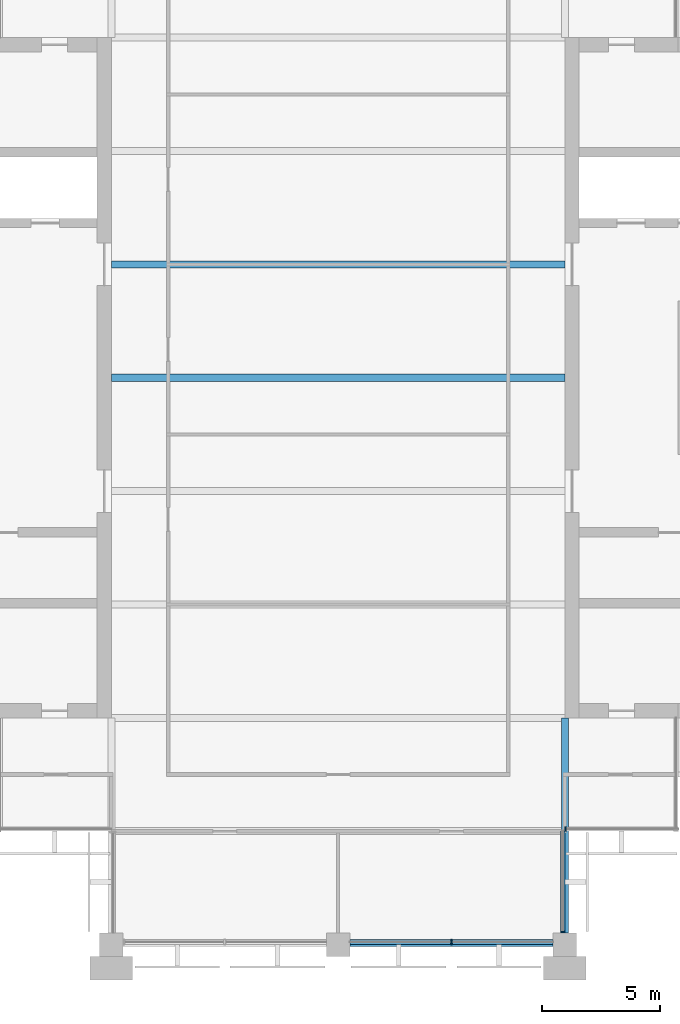
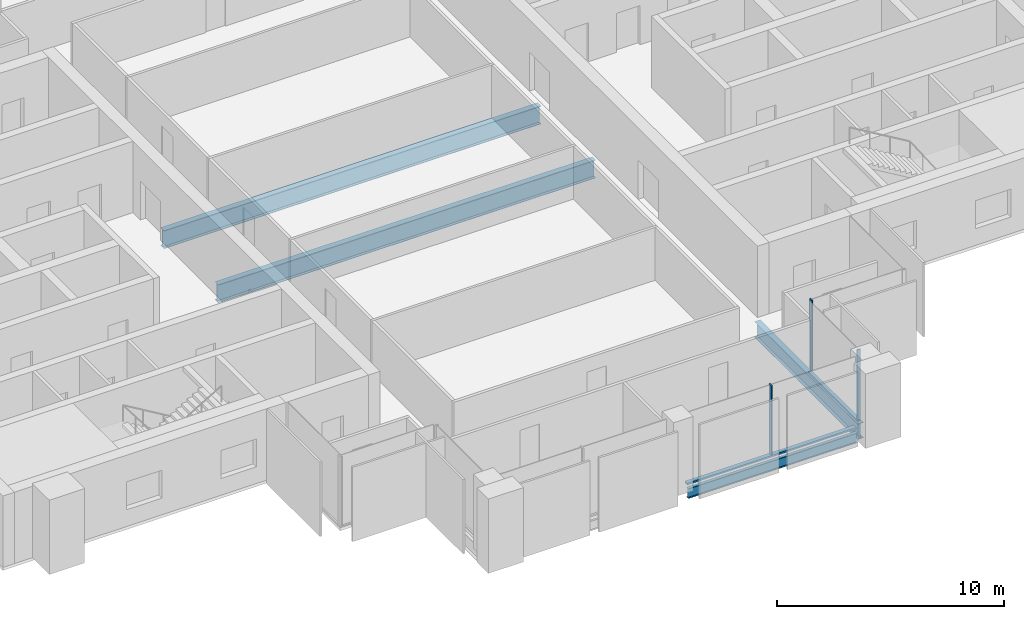
# One storey, part 3 of 12: 5 members, 4 beams, 3 elements without a shape of their own.
"""IFC4 building model written with IfcOpenShell, lengths in metres."""

from ifc_helpers import new_model, si_unit, direction, frame, origin, origin_2d, place, context, subcontext, project, spatial, rectangle, i_section, extrude, material, material_profile, profile_set, type_object, element, aggregate, save


model = new_model("IFC4")

# Units and contexts
model_context = context("Model", 3, precision=1e-05, world=origin(), true_north=direction((0.0, 1.0)))
body_context = subcontext(model_context, "Body", "Model", "MODEL_VIEW")
ifc_project = project(units=[si_unit("LENGTHUNIT", "METRE"), si_unit("AREAUNIT", "SQUARE_METRE"), si_unit("VOLUMEUNIT", "CUBIC_METRE"), si_unit("PLANEANGLEUNIT", "RADIAN"), si_unit("MASSUNIT", "GRAM", prefix="KILO")], contexts=[model_context])

# Site, building, storey
site_placement = place(None, origin())
site = spatial("IfcSite", under=ifc_project, at=site_placement, CompositionType="ELEMENT")
building_placement = place(site_placement, origin())
building = spatial("IfcBuilding", under=site, at=building_placement, Name="Baori Bourse Tower", CompositionType="ELEMENT")
storey_placement = place(building_placement, frame((0.0, 0.0, 322.300048828125)))
storey = spatial("IfcBuildingStorey", under=building, at=storey_placement, Name="L71", CompositionType="ELEMENT", Elevation=322.300048828125)

# Curtain wall, member
ifc_material_1 = material(Name="Pale anodised aluminium", Category="aluminium")
curtain_wall_type_1 = type_object("IfcCurtainWallType", Name="CW2 Curtain wall", PredefinedType="NOTDEFINED", material=ifc_material_1)
curtain_wall_1_placement = place(storey_placement, origin())
curtain_wall_1 = element("IfcCurtainWall", 1, at=curtain_wall_1_placement, inside=storey, type_object=curtain_wall_type_1, Name="Curtain wall CW2 L71 12", PredefinedType="NOTDEFINED")
ifc_material_2 = material(Name="Pale anodised aluminium", Category="aluminium")
ifc_material_profile_1 = material_profile(ifc_material_2, rectangle(XDim=0.179931640625, YDim=0.054931640625, at=origin_2d()), Name="Mullion 55x180")
ifc_profile_set_1 = profile_set([ifc_material_profile_1], Name="Pale anodised aluminium")
member_type_1 = type_object("IfcMemberType", Name="CW2 Curtain wall mullion", PredefinedType="MULLION", material=ifc_profile_set_1)
member_1_placement = place(storey_placement, frame((38.31005859375, 0.527587890625, 0.070068359375), z_axis=(0.0, 0.0, 1.0), x_axis=(-1.0, 0.0, 0.0)))
member_1 = element("IfcMember", 2, at=member_1_placement, type_object=member_type_1, Name="Curtain wall CW2 mullion", PredefinedType="MULLION", context=body_context, shape_type="SweptSolid", body=[
    extrude(rectangle(XDim=0.179931640625, YDim=0.054931640625, at=origin_2d()), origin(), (0.0, 0.0, 1.0), 3.769775390625),
])

curtain_wall_2_placement = place(storey_placement, origin())
curtain_wall_2 = element("IfcCurtainWall", 3, at=curtain_wall_2_placement, inside=storey, type_object=curtain_wall_type_1, Name="Curtain wall CW2 L71 13", PredefinedType="NOTDEFINED")
member_2_placement = place(storey_placement, frame((38.427490234375, 4.889892578125, 0.070068359375), z_axis=(0.0, 0.0, 1.0), x_axis=(0.0, 1.0, 0.0)))
member_2 = element("IfcMember", 4, at=member_2_placement, type_object=member_type_1, Name="Curtain wall CW2 mullion", PredefinedType="MULLION", context=body_context, shape_type="SweptSolid", body=[
    extrude(rectangle(XDim=0.179931640625, YDim=0.054931640625, at=origin_2d()), origin(), (0.0, 0.0, 1.0), 3.769775390625),
])
aggregate(curtain_wall_2, [member_2])

# Member
ifc_material_3 = material(Name="Pale anodised aluminium", Category="aluminium")
ifc_material_profile_2 = material_profile(ifc_material_3, rectangle(XDim=0.179931640625, YDim=0.070068359375, at=origin_2d()), Name="Transom 70x180")
ifc_profile_set_2 = profile_set([ifc_material_profile_2], Name="Pale anodised aluminium")
member_type_2 = type_object("IfcMemberType", Name="CW2 Curtain wall transom", PredefinedType="USERDEFINED", material=ifc_profile_set_2)
member_3_placement = place(storey_placement, frame((38.31005859375, 0.5, 0.034912109375), z_axis=(0.0, 1.0, 0.0), x_axis=(-1.0, 0.0, 0.0)))
member_3 = element("IfcMember", 5, at=member_3_placement, type_object=member_type_2, Name="Curtain wall CW2 sill rail", ObjectType="TRANSOM", PredefinedType="USERDEFINED", context=body_context, shape_type="SweptSolid", body=[
    extrude(rectangle(XDim=0.179931640625, YDim=0.070068359375, at=origin_2d()), origin(), (0.0, 0.0, 1.0), 4.300048828125),
])

aggregate(curtain_wall_1, [member_3, member_1])

# Curtain wall, members
ifc_material_4 = material(Name="Pale anodised aluminium", Category="aluminium")
curtain_wall_type_2 = type_object("IfcCurtainWallType", Name="CW5 Curtain wall", PredefinedType="NOTDEFINED", material=ifc_material_4)
curtain_wall_3_placement = place(storey_placement, origin())
curtain_wall_3 = element("IfcCurtainWall", 6, at=curtain_wall_3_placement, inside=storey, type_object=curtain_wall_type_2, Name="Curtain wall CW5 L71 11", PredefinedType="NOTDEFINED")
ifc_material_5 = material(Name="Pale anodised aluminium", Category="aluminium")
ifc_material_profile_3 = material_profile(ifc_material_5, rectangle(XDim=0.219970703125, YDim=0.06494140625, at=origin_2d()), Name="Mullion 65x220")
ifc_profile_set_3 = profile_set([ifc_material_profile_3], Name="Pale anodised aluminium")
member_type_3 = type_object("IfcMemberType", Name="CW5 Curtain wall mullion", PredefinedType="MULLION", material=ifc_profile_set_3)
member_4_placement = place(storey_placement, frame((33.60009765625, 0.110107421875, 0.0849609375), z_axis=(0.0, 0.0, 1.0), x_axis=(0.0, 1.0, 0.0)))
member_4 = element("IfcMember", 7, at=member_4_placement, type_object=member_type_3, Name="Curtain wall CW5 mullion", PredefinedType="MULLION", context=body_context, shape_type="SweptSolid", body=[
    extrude(rectangle(XDim=0.219970703125, YDim=0.06494140625, at=origin_2d()), origin(), (0.0, 0.0, 1.0), 3.7548828125),
])
ifc_material_6 = material(Name="Pale anodised aluminium", Category="aluminium")
ifc_material_profile_4 = material_profile(ifc_material_6, rectangle(XDim=0.219970703125, YDim=0.0849609375, at=origin_2d()), Name="Transom 85x220")
ifc_profile_set_4 = profile_set([ifc_material_profile_4], Name="Pale anodised aluminium")
member_type_4 = type_object("IfcMemberType", Name="CW5 Curtain wall transom", PredefinedType="USERDEFINED", material=ifc_profile_set_4)
member_5_placement = place(storey_placement, frame((29.300048828125, 0.110107421875, 0.04248046875), z_axis=(1.0, 0.0, 0.0), x_axis=(0.0, 1.0, 0.0)))
member_5 = element("IfcMember", 8, at=member_5_placement, type_object=member_type_4, Name="Curtain wall CW5 sill rail", ObjectType="TRANSOM", PredefinedType="USERDEFINED", context=body_context, shape_type="SweptSolid", body=[
    extrude(rectangle(XDim=0.219970703125, YDim=0.0849609375, at=origin_2d()), origin(), (0.0, 0.0, 1.0), 8.599853515625),
])
aggregate(curtain_wall_3, [member_5, member_4])

# Beams
ifc_material_7 = material(Name="Steel A992 Gr 50", Category="steel")
ifc_material_profile_5 = material_profile(ifc_material_7, i_section(OverallWidth=0.1650390625, OverallDepth=0.52587890625, WebThickness=0.0087890625, FlangeThickness=0.011474609375, at=origin_2d()), Name="W21x44")
ifc_profile_set_5 = profile_set([ifc_material_profile_5], Name="Steel A992 Gr 50")
beam_type_1 = type_object("IfcBeamType", Name="Edge beam W21x44", PredefinedType="BEAM", material=ifc_profile_set_5)
beam_1_placement = place(storey_placement, frame((29.300048828125, 0.0, -0.4228515625), z_axis=(1.0, 0.0, 0.0), x_axis=(0.0, 1.0, 0.0)))
element("IfcBeam", 9, at=beam_1_placement, inside=storey, type_object=beam_type_1, Name="Edge beam L71", PredefinedType="BEAM", context=body_context, shape_type="SweptSolid", body=[
    extrude(i_section(OverallWidth=0.1650390625, OverallDepth=0.52587890625, WebThickness=0.0087890625, FlangeThickness=0.011474609375, at=origin_2d()), origin(), (0.0, 0.0, 1.0), 8.599853515625),
])
ifc_material_8 = material(Name="Steel A992 Gr 50", Category="steel")
ifc_material_profile_6 = material_profile(ifc_material_8, i_section(OverallWidth=0.2998046875, OverallDepth=0.97021484375, WebThickness=0.01611328125, FlangeThickness=0.02099609375, at=origin_2d()), Name="W40x149")
ifc_profile_set_6 = profile_set([ifc_material_profile_6], Name="Steel A992 Gr 50")
beam_type_2 = type_object("IfcBeamType", Name="Floor beam W40x149", PredefinedType="BEAM", material=ifc_profile_set_6)
for number, where, z_axis, x_axis, name in (
    (10, (19.199951171875, 24.0, -0.645263671875), (1.0, 0.0, 0.0), (0.0, 1.0, 0.0), "Floor beam L71"),
    (11, (19.199951171875, 28.800048828125, -0.645263671875), (1.0, 0.0, 0.0), (0.0, 1.0, 0.0), "Floor beam L71"),
):
    element("IfcBeam", number, at=place(storey_placement, frame(where, z_axis=z_axis, x_axis=x_axis)), inside=storey, type_object=beam_type_2, Name=name, PredefinedType="BEAM", context=body_context, shape_type="SweptSolid", body=[
        extrude(i_section(OverallWidth=0.2998046875, OverallDepth=0.97021484375, WebThickness=0.01611328125, FlangeThickness=0.02099609375, at=origin_2d()), origin(), (0.0, 0.0, 1.0), 19.199951171875),
    ])
ifc_material_9 = material(Name="Steel A992 Gr 50", Category="steel")
ifc_material_profile_7 = material_profile(ifc_material_9, i_section(OverallWidth=0.2919921875, OverallDepth=0.835693359375, WebThickness=0.013916015625, FlangeThickness=0.018798828125, at=origin_2d()), Name="W33x118")
ifc_profile_set_7 = profile_set([ifc_material_profile_7], Name="Steel A992 Gr 50")
beam_type_3 = type_object("IfcBeamType", Name="Girder W33x118", PredefinedType="BEAM", material=ifc_profile_set_7)
beam_2_placement = place(storey_placement, frame((38.39990234375, 0.5, -0.577880859375), z_axis=(0.0, 1.0, 0.0), x_axis=(-1.0, 0.0, 0.0)))
element("IfcBeam", 12, at=beam_2_placement, inside=storey, type_object=beam_type_3, Name="Girder L71", PredefinedType="BEAM", context=body_context, shape_type="SweptSolid", body=[
    extrude(i_section(OverallWidth=0.2919921875, OverallDepth=0.835693359375, WebThickness=0.013916015625, FlangeThickness=0.018798828125, at=origin_2d()), origin(), (0.0, 0.0, 1.0), 9.10009765625),
])

save(model, "model.ifc")
